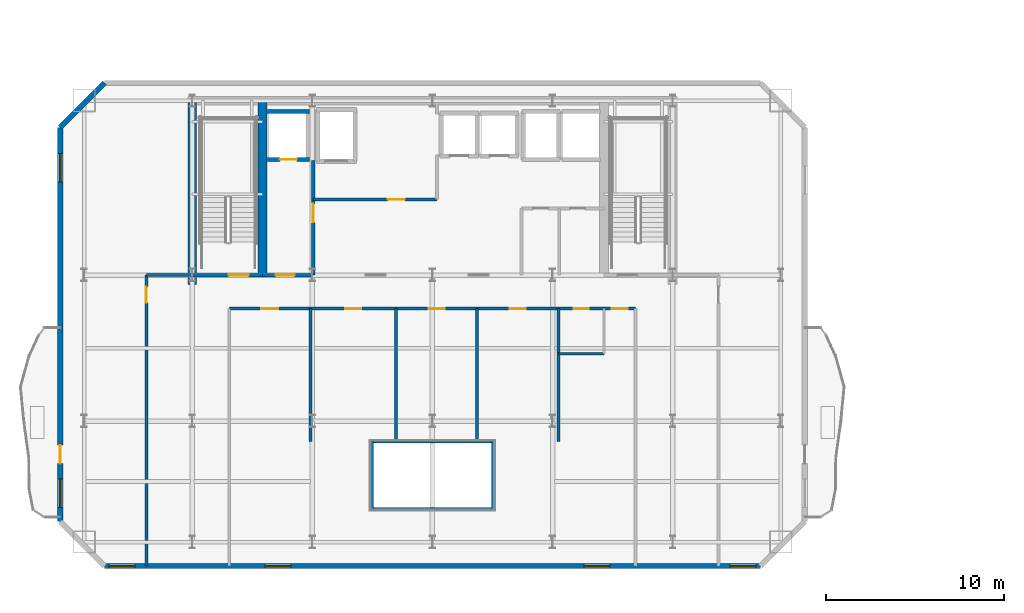
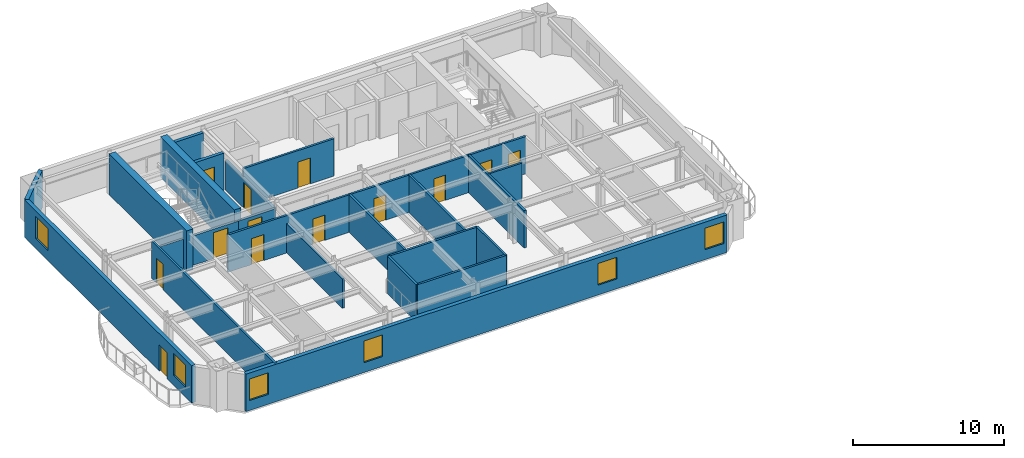
# One storey, part 5 of 13: 23 walls, 13 doors, 6 windows, 19 openings.
"""IFC4 building model written with IfcOpenShell, lengths in metres."""

from ifc_helpers import new_model, si_unit, direction, frame, frame_2d, origin, place, context, subcontext, project, spatial, rectangle, extrude, material, layer, layer_set, type_object, element, fill, save


model = new_model("IFC4")

# Units and contexts
model_context = context("Model", 3, precision=1e-05, world=origin(), true_north=direction((0.0, 1.0)))
body_context = subcontext(model_context, "Body", "Model", "MODEL_VIEW")
ifc_project = project(units=[si_unit("LENGTHUNIT", "METRE"), si_unit("AREAUNIT", "SQUARE_METRE"), si_unit("VOLUMEUNIT", "CUBIC_METRE"), si_unit("PLANEANGLEUNIT", "RADIAN"), si_unit("MASSUNIT", "GRAM", prefix="KILO")], contexts=[model_context])

# Site, building, storey
site_placement = place(None, origin())
site = spatial("IfcSite", under=ifc_project, at=site_placement, CompositionType="ELEMENT")
building_placement = place(site_placement, origin())
building = spatial("IfcBuilding", under=site, at=building_placement, Name="Haevon Station Towers", CompositionType="ELEMENT")
storey_placement = place(building_placement, frame((0.0, 0.0, 162.60009765625)))
storey = spatial("IfcBuildingStorey", under=building, at=storey_placement, Name="L44", CompositionType="ELEMENT", Elevation=162.60009765625)

# Wall, opening, door
ifc_material_1 = material(Name="Gypsum board on steel stud", Category="steel")
ifc_layer_1 = layer(ifc_material_1, 0.199951171875)
ifc_layer_set_1 = layer_set([ifc_layer_1], Name="Gypsum board on steel stud")
wall_type_1 = type_object("IfcWallType", Name="WL-COR200", PredefinedType="PARTITIONING", material=ifc_layer_set_1)
wall_1_placement = place(storey_placement, frame((24.0, 38.199951171875, 0.0), z_axis=(0.0, 0.0, 1.0), x_axis=(1.0, 0.0, 0.0)))
wall_1 = element("IfcWall", 1, at=wall_1_placement, inside=storey, type_object=wall_type_1, Name="WL-ST-ST1-L44", PredefinedType="PARTITIONING", context=body_context, shape_type="SweptSolid", body=[
    extrude(rectangle(XDim=3.949951171875, YDim=0.199951171875, at=frame_2d((1.97509765625, 0.0))), origin(), (0.0, 0.0, 1.0), 2.3798828125),
])
opening_1_placement = place(wall_1_placement, frame((2.050048828125, 0.0, 0.0)))
opening_1 = element("IfcOpeningElement", 2, at=opening_1_placement, cuts=wall_1, Name="Opening DR-ST-ST1-L44", PredefinedType="OPENING", context=body_context, shape_type="SweptSolid", body=[
    extrude(rectangle(XDim=1.1201171875, YDim=2.10009765625, at=frame_2d((0.56005859375, 1.050048828125))), frame((0.0, 0.10986328125, 0.0), z_axis=(0.0, -1.0, 0.0), x_axis=(1.0, 0.0, 0.0)), (0.0, 0.0, 1.0), 0.219970703125),
])
ifc_material_2 = material(Name="Engineered oak timber", Category="wood")
door_type_1 = type_object("IfcDoorType", Name="DR-ST-1120", OperationType="NOTDEFINED", PredefinedType="DOOR", material=ifc_material_2)
door_1_placement = place(opening_1_placement, origin())
door_1 = element("IfcDoor", 3, at=door_1_placement, inside=storey, type_object=door_type_1, Name="L44 Escape Stair ST1 Fire Door", OperationType="SINGLE_SWING_RIGHT", OverallHeight=2.10009765625, OverallWidth=1.1201171875, PredefinedType="DOOR", context=body_context, shape_type="SweptSolid", body=[
    extrude(rectangle(XDim=1.1201171875, YDim=2.10009765625, at=frame_2d((0.56005859375, 1.050048828125))), frame((0.0, 0.02490234375, 0.0), z_axis=(0.0, -1.0, 0.0), x_axis=(1.0, 0.0, 0.0)), (0.0, 0.0, 1.0), 0.050048828125),
])
fill(opening_1, door_1)

wall_2_placement = place(storey_placement, frame((30.800048828125, 38.199951171875, 0.0), z_axis=(0.0, 0.0, 1.0), x_axis=(0.0, 1.0, 0.0)))
wall_2 = element("IfcWall", 4, at=wall_2_placement, inside=storey, type_object=wall_type_1, Name="WL-T1FFL-L44-E", PredefinedType="PARTITIONING", context=body_context, shape_type="SweptSolid", body=[
    extrude(rectangle(XDim=6.449951171875, YDim=0.199951171875, at=frame_2d((3.22509765625, 0.0))), origin(), (0.0, 0.0, 1.0), 2.3798828125),
])
opening_2_placement = place(wall_2_placement, frame((2.9599609375, 0.0, 0.0)))
opening_2 = element("IfcOpeningElement", 5, at=opening_2_placement, cuts=wall_2, Name="Opening DR-T1FFL-L44-E", PredefinedType="OPENING", context=body_context, shape_type="SweptSolid", body=[
    extrude(rectangle(XDim=1.050048828125, YDim=2.10009765625, at=frame_2d((0.52490234375, 1.050048828125))), frame((0.0, 0.10986328125, 0.0), z_axis=(0.0, -1.0, 0.0), x_axis=(1.0, 0.0, 0.0)), (0.0, 0.0, 1.0), 0.219970703125),
])
door_type_2 = type_object("IfcDoorType", Name="DR-FD60-1050", OperationType="NOTDEFINED", PredefinedType="DOOR", material=ifc_material_2)
door_2_placement = place(opening_2_placement, origin())
door_2 = element("IfcDoor", 6, at=door_2_placement, inside=storey, type_object=door_type_2, Name="L44 Tower 1 Firefighting Lift Lobby Door E", OperationType="SINGLE_SWING_RIGHT", OverallHeight=2.10009765625, OverallWidth=1.050048828125, PredefinedType="DOOR", context=body_context, shape_type="SweptSolid", body=[
    extrude(rectangle(XDim=1.050048828125, YDim=2.10009765625, at=frame_2d((0.52490234375, 1.050048828125))), frame((0.0, 0.02490234375, 0.0), z_axis=(0.0, -1.0, 0.0), x_axis=(1.0, 0.0, 0.0)), (0.0, 0.0, 1.0), 0.050048828125),
])
fill(opening_2, door_2)

wall_3_placement = place(storey_placement, frame((27.949951171875, 38.199951171875, 0.0), z_axis=(0.0, 0.0, 1.0), x_axis=(1.0, 0.0, 0.0)))
wall_3 = element("IfcWall", 7, at=wall_3_placement, inside=storey, type_object=wall_type_1, Name="WL-T1FFL-L44-S", PredefinedType="PARTITIONING", context=body_context, shape_type="SweptSolid", body=[
    extrude(rectangle(XDim=2.85009765625, YDim=0.199951171875, at=frame_2d((1.425048828125, 0.0))), origin(), (0.0, 0.0, 1.0), 2.3798828125),
])
opening_3_placement = place(wall_3_placement, frame((0.75, 0.0, 0.0)))
opening_3 = element("IfcOpeningElement", 8, at=opening_3_placement, cuts=wall_3, Name="Opening DR-T1FFL-L44-S", PredefinedType="OPENING", context=body_context, shape_type="SweptSolid", body=[
    extrude(rectangle(XDim=1.050048828125, YDim=2.10009765625, at=frame_2d((0.52490234375, 1.050048828125))), frame((0.0, 0.10986328125, 0.0), z_axis=(0.0, -1.0, 0.0), x_axis=(1.0, 0.0, 0.0)), (0.0, 0.0, 1.0), 0.219970703125),
])
door_3_placement = place(opening_3_placement, origin())
door_3 = element("IfcDoor", 9, at=door_3_placement, inside=storey, type_object=door_type_2, Name="L44 Tower 1 Firefighting Lift Lobby Door S", OperationType="SINGLE_SWING_LEFT", OverallHeight=2.10009765625, OverallWidth=1.050048828125, PredefinedType="DOOR", context=body_context, shape_type="SweptSolid", body=[
    extrude(rectangle(XDim=1.050048828125, YDim=2.10009765625, at=frame_2d((0.52490234375, 1.050048828125))), frame((0.0, 0.02490234375, 0.0), z_axis=(0.0, -1.0, 0.0), x_axis=(1.0, 0.0, 0.0)), (0.0, 0.0, 1.0), 0.050048828125),
])
fill(opening_3, door_3)

# Walls
ifc_material_3 = material(Name="Concrete C60/75", Category="concrete")
ifc_layer_2 = layer(ifc_material_3, 0.5)
ifc_layer_set_2 = layer_set([ifc_layer_2], Name="Concrete C60/75")
wall_type_2 = type_object("IfcWallType", Name="WL-CR500", PredefinedType="SHEAR", material=ifc_layer_set_2)
wall_4_placement = place(storey_placement, frame((24.0, 37.679931640625, 0.0), z_axis=(0.0, 0.0, 1.0), x_axis=(0.0, 1.0, 0.0)))
element("IfcWall", 10, at=wall_4_placement, inside=storey, type_object=wall_type_2, Name="WL-T1CR-L44-W", PredefinedType="SHEAR", context=body_context, shape_type="SweptSolid", body=[
    extrude(rectangle(XDim=10.320068359375, YDim=0.5, at=frame_2d((5.16015625, 0.0))), origin(), (0.0, 0.0, 1.0), 3.2998046875),
])
wall_5_placement = place(storey_placement, frame((27.949951171875, 38.199951171875, 0.0), z_axis=(0.0, 0.0, 1.0), x_axis=(0.0, 1.0, 0.0)))
element("IfcWall", 11, at=wall_5_placement, inside=storey, type_object=wall_type_2, Name="WL-T1CR-L44-M1", PredefinedType="SHEAR", context=body_context, shape_type="SweptSolid", body=[
    extrude(rectangle(XDim=9.800048828125, YDim=0.5, at=frame_2d((4.89990234375, 0.0))), origin(), (0.0, 0.0, 1.0), 3.2998046875),
])

# Wall, openings, windows
ifc_material_4 = material(Name="Precast concrete C45/55", Category="concrete")
ifc_layer_3 = layer(ifc_material_4, 0.300048828125)
ifc_layer_set_3 = layer_set([ifc_layer_3], Name="Precast concrete C45/55")
wall_type_3 = type_object("IfcWallType", Name="WL-EXT-PIER300", PredefinedType="SOLIDWALL", material=ifc_layer_set_3)
wall_6_placement = place(storey_placement, frame((55.925048828125, 21.85009765625, 0.0), z_axis=(0.0, 0.0, 1.0), x_axis=(-1.0, 0.0, 0.0)))
wall_6 = element("IfcWall", 12, at=wall_6_placement, inside=storey, type_object=wall_type_3, Name="WL-T1-L44-S", PredefinedType="SOLIDWALL", context=body_context, shape_type="SweptSolid", body=[
    extrude(rectangle(XDim=36.85009765625, YDim=0.300048828125, at=frame_2d((18.425048828125, 0.0))), origin(), (0.0, 0.0, 1.0), 3.02978515625),
])
opening_4_placement = place(wall_6_placement, frame((35.14990234375, 0.0, 0.800048828125)))
opening_4 = element("IfcOpeningElement", 13, at=opening_4_placement, cuts=wall_6, Name="Opening WN-P145", PredefinedType="OPENING", context=body_context, shape_type="SweptSolid", body=[
    extrude(rectangle(XDim=1.449951171875, YDim=1.75, at=frame_2d((0.72509765625, 0.875))), frame((0.0, 0.159912109375, 0.0), z_axis=(0.0, -1.0, 0.0), x_axis=(1.0, 0.0, 0.0)), (0.0, 0.0, 1.0), 0.320068359375),
])
opening_5_placement = place(wall_6_placement, frame((0.25, 0.0, 0.800048828125)))
opening_5 = element("IfcOpeningElement", 14, at=opening_5_placement, cuts=wall_6, Name="Opening WN-P145", PredefinedType="OPENING", context=body_context, shape_type="SweptSolid", body=[
    extrude(rectangle(XDim=1.449951171875, YDim=1.75, at=frame_2d((0.72509765625, 0.875))), frame((0.0, 0.159912109375, 0.0), z_axis=(0.0, -1.0, 0.0), x_axis=(1.0, 0.0, 0.0)), (0.0, 0.0, 1.0), 0.320068359375),
])
opening_6_placement = place(wall_6_placement, frame((26.385986328125, 0.0, 0.800048828125)))
opening_6 = element("IfcOpeningElement", 15, at=opening_6_placement, cuts=wall_6, Name="Opening WN-P145", PredefinedType="OPENING", context=body_context, shape_type="SweptSolid", body=[
    extrude(rectangle(XDim=1.449951171875, YDim=1.75, at=frame_2d((0.72509765625, 0.875))), frame((0.0, 0.159912109375, 0.0), z_axis=(0.0, -1.0, 0.0), x_axis=(1.0, 0.0, 0.0)), (0.0, 0.0, 1.0), 0.320068359375),
])
opening_7_placement = place(wall_6_placement, frame((8.44970703125, 0.0, 0.800048828125)))
opening_7 = element("IfcOpeningElement", 16, at=opening_7_placement, cuts=wall_6, Name="Opening WN-P145", PredefinedType="OPENING", context=body_context, shape_type="SweptSolid", body=[
    extrude(rectangle(XDim=1.449951171875, YDim=1.75, at=frame_2d((0.72509765625, 0.875))), frame((0.0, 0.159912109375, 0.0), z_axis=(0.0, -1.0, 0.0), x_axis=(1.0, 0.0, 0.0)), (0.0, 0.0, 1.0), 0.320068359375),
])
ifc_material_5 = material(Name="Low-E triple glazing in thermally broken aluminium", Category="aluminium")
window_type_1 = type_object("IfcWindowType", Name="WN-P145", PartitioningType="SINGLE_PANEL", PredefinedType="WINDOW", material=ifc_material_5)
window_1_placement = place(opening_4_placement, origin())
window_1 = element("IfcWindow", 17, at=window_1_placement, inside=storey, type_object=window_type_1, Name="WN-T1-L44-S01", OverallHeight=1.75, OverallWidth=1.449951171875, PartitioningType="SINGLE_PANEL", PredefinedType="WINDOW", context=body_context, shape_type="SweptSolid", body=[
    extrude(rectangle(XDim=1.449951171875, YDim=1.75, at=frame_2d((0.72509765625, 0.875))), frame((0.0, 0.030029296875, 0.0), z_axis=(0.0, -1.0, 0.0), x_axis=(1.0, 0.0, 0.0)), (0.0, 0.0, 1.0), 0.06005859375),
])
fill(opening_4, window_1)
window_2_placement = place(opening_5_placement, origin())
window_2 = element("IfcWindow", 18, at=window_2_placement, inside=storey, type_object=window_type_1, Name="WN-T1-L44-S02", OverallHeight=1.75, OverallWidth=1.449951171875, PartitioningType="SINGLE_PANEL", PredefinedType="WINDOW", context=body_context, shape_type="SweptSolid", body=[
    extrude(rectangle(XDim=1.449951171875, YDim=1.75, at=frame_2d((0.72509765625, 0.875))), frame((0.0, 0.030029296875, 0.0), z_axis=(0.0, -1.0, 0.0), x_axis=(1.0, 0.0, 0.0)), (0.0, 0.0, 1.0), 0.06005859375),
])
fill(opening_5, window_2)
window_3_placement = place(opening_6_placement, origin())
window_3 = element("IfcWindow", 19, at=window_3_placement, inside=storey, type_object=window_type_1, Name="WN-T1-L44-S03", OverallHeight=1.75, OverallWidth=1.449951171875, PartitioningType="SINGLE_PANEL", PredefinedType="WINDOW", context=body_context, shape_type="SweptSolid", body=[
    extrude(rectangle(XDim=1.449951171875, YDim=1.75, at=frame_2d((0.72509765625, 0.875))), frame((0.0, 0.030029296875, 0.0), z_axis=(0.0, -1.0, 0.0), x_axis=(1.0, 0.0, 0.0)), (0.0, 0.0, 1.0), 0.06005859375),
])
fill(opening_6, window_3)
window_4_placement = place(opening_7_placement, origin())
window_4 = element("IfcWindow", 20, at=window_4_placement, inside=storey, type_object=window_type_1, Name="WN-T1-L44-S04", OverallHeight=1.75, OverallWidth=1.449951171875, PartitioningType="SINGLE_PANEL", PredefinedType="WINDOW", context=body_context, shape_type="SweptSolid", body=[
    extrude(rectangle(XDim=1.449951171875, YDim=1.75, at=frame_2d((0.72509765625, 0.875))), frame((0.0, 0.030029296875, 0.0), z_axis=(0.0, -1.0, 0.0), x_axis=(1.0, 0.0, 0.0)), (0.0, 0.0, 1.0), 0.06005859375),
])
fill(opening_7, window_4)

# Wall, openings, door, windows
wall_7_placement = place(storey_placement, frame((16.574951171875, 24.35009765625, 0.0), z_axis=(0.0, 0.0, 1.0), x_axis=(0.0, 1.0, 0.0)))
wall_7 = element("IfcWall", 21, at=wall_7_placement, inside=storey, type_object=wall_type_3, Name="WL-T1-L44-W", PredefinedType="SOLIDWALL", context=body_context, shape_type="SweptSolid", body=[
    extrude(rectangle(XDim=22.14990234375, YDim=0.300048828125, at=frame_2d((11.074951171875, 0.0))), origin(), (0.0, 0.0, 1.0), 3.02978515625),
])
opening_8_placement = place(wall_7_placement, frame((3.25, 0.0, 0.0)))
opening_8 = element("IfcOpeningElement", 22, at=opening_8_placement, cuts=wall_7, Name="Opening DR-T1-SCAL-L44-W", PredefinedType="OPENING", context=body_context, shape_type="SweptSolid", body=[
    extrude(rectangle(XDim=1.050048828125, YDim=2.10009765625, at=frame_2d((0.52490234375, 1.050048828125))), frame((0.0, 0.159912109375, 0.0), z_axis=(0.0, -1.0, 0.0), x_axis=(1.0, 0.0, 0.0)), (0.0, 0.0, 1.0), 0.320068359375),
])
opening_9_placement = place(wall_7_placement, frame((0.800048828125, 0.0, 0.800048828125)))
opening_9 = element("IfcOpeningElement", 23, at=opening_9_placement, cuts=wall_7, Name="Opening WN-END160", PredefinedType="OPENING", context=body_context, shape_type="SweptSolid", body=[
    extrude(rectangle(XDim=1.60009765625, YDim=1.800048828125, at=frame_2d((0.800048828125, 0.89990234375))), frame((0.0, 0.159912109375, 0.0), z_axis=(0.0, -1.0, 0.0), x_axis=(1.0, 0.0, 0.0)), (0.0, 0.0, 1.0), 0.320068359375),
])
opening_10_placement = place(wall_7_placement, frame((19.0732421875, 0.0, 0.800048828125)))
opening_10 = element("IfcOpeningElement", 24, at=opening_10_placement, cuts=wall_7, Name="Opening WN-END160", PredefinedType="OPENING", context=body_context, shape_type="SweptSolid", body=[
    extrude(rectangle(XDim=1.60009765625, YDim=1.800048828125, at=frame_2d((0.800048828125, 0.89990234375))), frame((0.0, 0.159912109375, 0.0), z_axis=(0.0, -1.0, 0.0), x_axis=(1.0, 0.0, 0.0)), (0.0, 0.0, 1.0), 0.320068359375),
])
ifc_material_6 = material(Name="Thermally broken anodised aluminium and laminated safety glass", Category="aluminium")
door_type_3 = type_object("IfcDoorType", Name="DR-BALC-1050", OperationType="NOTDEFINED", PredefinedType="DOOR", material=ifc_material_6)
door_4_placement = place(opening_8_placement, origin())
door_4 = element("IfcDoor", 25, at=door_4_placement, inside=storey, type_object=door_type_3, Name="Tower 1 L44 West Scalloped Balcony Door", OperationType="SINGLE_SWING_LEFT", OverallHeight=2.10009765625, OverallWidth=1.050048828125, PredefinedType="DOOR", context=body_context, shape_type="SweptSolid", body=[
    extrude(rectangle(XDim=1.050048828125, YDim=2.10009765625, at=frame_2d((0.52490234375, 1.050048828125))), frame((0.0, 0.02490234375, 0.0), z_axis=(0.0, -1.0, 0.0), x_axis=(1.0, 0.0, 0.0)), (0.0, 0.0, 1.0), 0.050048828125),
])
fill(opening_8, door_4)
window_type_2 = type_object("IfcWindowType", Name="WN-END160", PartitioningType="SINGLE_PANEL", PredefinedType="WINDOW", material=ifc_material_5)
window_5_placement = place(opening_9_placement, origin())
window_5 = element("IfcWindow", 26, at=window_5_placement, inside=storey, type_object=window_type_2, Name="WN-T1-L44-W01", OverallHeight=1.800048828125, OverallWidth=1.60009765625, PartitioningType="SINGLE_PANEL", PredefinedType="WINDOW", context=body_context, shape_type="SweptSolid", body=[
    extrude(rectangle(XDim=1.60009765625, YDim=1.800048828125, at=frame_2d((0.800048828125, 0.89990234375))), frame((0.0, 0.030029296875, 0.0), z_axis=(0.0, -1.0, 0.0), x_axis=(1.0, 0.0, 0.0)), (0.0, 0.0, 1.0), 0.06005859375),
])
fill(opening_9, window_5)
window_6_placement = place(opening_10_placement, origin())
window_6 = element("IfcWindow", 27, at=window_6_placement, inside=storey, type_object=window_type_2, Name="WN-T1-L44-W02", OverallHeight=1.800048828125, OverallWidth=1.60009765625, PartitioningType="SINGLE_PANEL", PredefinedType="WINDOW", context=body_context, shape_type="SweptSolid", body=[
    extrude(rectangle(XDim=1.60009765625, YDim=1.800048828125, at=frame_2d((0.800048828125, 0.89990234375))), frame((0.0, 0.030029296875, 0.0), z_axis=(0.0, -1.0, 0.0), x_axis=(1.0, 0.0, 0.0)), (0.0, 0.0, 1.0), 0.06005859375),
])
fill(opening_10, window_6)

# Walls
wall_8_placement = place(storey_placement, frame((16.574951171875, 46.5, 0.0), z_axis=(0.0, 0.0, 1.0), x_axis=(0.707106781187, 0.707106781187, 0.0)))
element("IfcWall", 28, at=wall_8_placement, inside=storey, type_object=wall_type_3, Name="WL-T1-L44-NWC", PredefinedType="SOLIDWALL", context=body_context, shape_type="SweptSolid", body=[
    extrude(rectangle(XDim=3.53564453125, YDim=0.300048828125, at=frame_2d((1.767822265625, 0.0))), origin(), (0.0, 0.0, 1.0), 3.02978515625),
])
ifc_layer_4 = layer(ifc_material_1, 0.139892578125)
ifc_layer_set_4 = layer_set([ifc_layer_4], Name="Gypsum board on steel stud")
wall_type_4 = type_object("IfcWallType", Name="WL-PRT140", PredefinedType="PARTITIONING", material=ifc_layer_set_4)
wall_9_placement = place(storey_placement, frame((44.580322265625, 33.77001953125, 0.0), z_axis=(0.0, 0.0, 1.0), x_axis=(1.0, 0.0, 0.0)))
element("IfcWall", 29, at=wall_9_placement, inside=storey, type_object=wall_type_4, Name="WL-T1PT-L44-18", PredefinedType="PARTITIONING", context=body_context, shape_type="SweptSolid", body=[
    extrude(rectangle(XDim=2.5595703125, YDim=0.139892578125, at=frame_2d((1.27978515625, 0.0))), origin(), (0.0, 0.0, 1.0), 3.02978515625),
])

# Wall, opening, door
ifc_layer_5 = layer(ifc_material_1, 0.159912109375)
ifc_layer_set_5 = layer_set([ifc_layer_5], Name="Gypsum board on steel stud")
wall_type_5 = type_object("IfcWallType", Name="WL-PRT160", PredefinedType="PARTITIONING", material=ifc_layer_set_5)
wall_10_placement = place(storey_placement, frame((30.800048828125, 42.449951171875, 0.0), z_axis=(0.0, 0.0, 1.0), x_axis=(1.0, 0.0, 0.0)))
wall_10 = element("IfcWall", 30, at=wall_10_placement, inside=storey, type_object=wall_type_5, Name="WL-T1CW-L44-01", PredefinedType="PARTITIONING", context=body_context, shape_type="SweptSolid", body=[
    extrude(rectangle(XDim=6.949951171875, YDim=0.159912109375, at=frame_2d((3.47509765625, 0.0))), origin(), (0.0, 0.0, 1.0), 3.02978515625),
])
opening_11_placement = place(wall_10_placement, frame((4.199951171875, 0.0, 0.0)))
opening_11 = element("IfcOpeningElement", 31, at=opening_11_placement, cuts=wall_10, Name="Opening DR-WL-T1CW-L44-01-1", PredefinedType="OPENING", context=body_context, shape_type="SweptSolid", body=[
    extrude(rectangle(XDim=0.949951171875, YDim=2.10009765625, at=frame_2d((0.47509765625, 1.050048828125))), frame((0.0, 0.08984375, 0.0), z_axis=(0.0, -1.0, 0.0), x_axis=(1.0, 0.0, 0.0)), (0.0, 0.0, 1.0), 0.179931640625),
])
door_type_4 = type_object("IfcDoorType", Name="DR-FD60-950", OperationType="NOTDEFINED", PredefinedType="DOOR", material=ifc_material_2)
door_5_placement = place(opening_11_placement, origin())
door_5 = element("IfcDoor", 32, at=door_5_placement, inside=storey, type_object=door_type_4, Name="L44 Tower 1 Core Room Door 1-1", OperationType="SINGLE_SWING_LEFT", OverallHeight=2.10009765625, OverallWidth=0.949951171875, PredefinedType="DOOR", context=body_context, shape_type="SweptSolid", body=[
    extrude(rectangle(XDim=0.949951171875, YDim=2.10009765625, at=frame_2d((0.47509765625, 1.050048828125))), frame((0.0, 0.02490234375, 0.0), z_axis=(0.0, -1.0, 0.0), x_axis=(1.0, 0.0, 0.0)), (0.0, 0.0, 1.0), 0.050048828125),
])
fill(opening_11, door_5)

# Wall
wall_11_placement = place(storey_placement, frame((21.425048828125, 38.199951171875, 0.0), z_axis=(0.0, 0.0, 1.0), x_axis=(1.0, 0.0, 0.0)))
element("IfcWall", 33, at=wall_11_placement, inside=storey, type_object=wall_type_5, Name="WL-T1PT-L44-03", PredefinedType="PARTITIONING", context=body_context, shape_type="SweptSolid", body=[
    extrude(rectangle(XDim=2.574951171875, YDim=0.159912109375, at=frame_2d((1.28759765625, 0.0))), origin(), (0.0, 0.0, 1.0), 2.3798828125),
])

# Wall, opening, door
wall_12_placement = place(storey_placement, frame((21.425048828125, 21.85009765625, 0.0), z_axis=(0.0, 0.0, 1.0), x_axis=(0.0, 1.0, 0.0)))
wall_12 = element("IfcWall", 34, at=wall_12_placement, inside=storey, type_object=wall_type_5, Name="WL-T1PT-L44-05", PredefinedType="PARTITIONING", context=body_context, shape_type="SweptSolid", body=[
    extrude(rectangle(XDim=16.349853515625, YDim=0.159912109375, at=frame_2d((8.1748046875, 0.0))), origin(), (0.0, 0.0, 1.0), 3.02978515625),
])
opening_12_placement = place(wall_12_placement, frame((14.7900390625, 0.0, 0.0)))
opening_12 = element("IfcOpeningElement", 35, at=opening_12_placement, cuts=wall_12, Name="Opening DR-WL-T1PT-L44-05-01", PredefinedType="OPENING", context=body_context, shape_type="SweptSolid", body=[
    extrude(rectangle(XDim=0.89990234375, YDim=2.050048828125, at=frame_2d((0.449951171875, 1.02490234375))), frame((0.0, 0.08984375, 0.0), z_axis=(0.0, -1.0, 0.0), x_axis=(1.0, 0.0, 0.0)), (0.0, 0.0, 1.0), 0.179931640625),
])
door_type_5 = type_object("IfcDoorType", Name="DR-INT-900", OperationType="NOTDEFINED", PredefinedType="DOOR", material=ifc_material_2)
door_6_placement = place(opening_12_placement, origin())
door_6 = element("IfcDoor", 36, at=door_6_placement, inside=storey, type_object=door_type_5, Name="L44 Tower 1 Room Door 5-1", OperationType="SINGLE_SWING_RIGHT", OverallHeight=2.050048828125, OverallWidth=0.89990234375, PredefinedType="DOOR", context=body_context, shape_type="SweptSolid", body=[
    extrude(rectangle(XDim=0.89990234375, YDim=2.050048828125, at=frame_2d((0.449951171875, 1.02490234375))), frame((0.0, 0.02490234375, 0.0), z_axis=(0.0, -1.0, 0.0), x_axis=(1.0, 0.0, 0.0)), (0.0, 0.0, 1.0), 0.050048828125),
])
fill(opening_12, door_6)

# Walls
for number, where, z_axis, x_axis, name in (
    (37, (34.10009765625, 25.050048828125, 0.0), (0.0, 0.0, 1.0), (1.0, 0.0, 0.0), "WL-T1PT-L44-07"),
    (38, (34.10009765625, 28.85009765625, 0.0), (0.0, 0.0, 1.0), (1.0, 0.0, 0.0), "WL-T1PT-L44-08"),
):
    element("IfcWall", number, at=place(storey_placement, frame(where, z_axis=z_axis, x_axis=x_axis)), inside=storey, type_object=wall_type_5, Name=name, PredefinedType="PARTITIONING", context=body_context, shape_type="SweptSolid", body=[
        extrude(rectangle(XDim=6.7998046875, YDim=0.159912109375, at=frame_2d((3.39990234375, 0.0))), origin(), (0.0, 0.0, 1.0), 3.02978515625),
    ])
for number, where, z_axis, x_axis, name in (
    (39, (34.10009765625, 25.050048828125, 0.0), (0.0, 0.0, 1.0), (0.0, 1.0, 0.0), "WL-T1PT-L44-09"),
    (40, (40.89990234375, 25.050048828125, 0.0), (0.0, 0.0, 1.0), (0.0, 1.0, 0.0), "WL-T1PT-L44-10"),
):
    element("IfcWall", number, at=place(storey_placement, frame(where, z_axis=z_axis, x_axis=x_axis)), inside=storey, type_object=wall_type_5, Name=name, PredefinedType="PARTITIONING", context=body_context, shape_type="SweptSolid", body=[
        extrude(rectangle(XDim=3.800048828125, YDim=0.159912109375, at=frame_2d((1.89990234375, 0.0))), origin(), (0.0, 0.0, 1.0), 3.02978515625),
    ])
wall_13_placement = place(storey_placement, frame((30.64794921875, 28.85009765625, 0.0), z_axis=(0.0, 0.0, 1.0), x_axis=(0.0, 1.0, 0.0)))
element("IfcWall", 41, at=wall_13_placement, inside=storey, type_object=wall_type_5, Name="WL-T1PT-L44-11", PredefinedType="PARTITIONING", context=body_context, shape_type="SweptSolid", body=[
    extrude(rectangle(XDim=7.469970703125, YDim=0.159912109375, at=frame_2d((3.73486328125, 0.0))), origin(), (0.0, 0.0, 1.0), 2.3798828125),
])
for number, where, z_axis, x_axis, name in (
    (42, (35.4443359375, 28.85009765625, 0.0), (0.0, 0.0, 1.0), (0.0, 1.0, 0.0), "WL-T1PT-L44-12"),
    (43, (40.012451171875, 28.85009765625, 0.0), (0.0, 0.0, 1.0), (0.0, 1.0, 0.0), "WL-T1PT-L44-14"),
    (44, (44.580322265625, 28.85009765625, 0.0), (0.0, 0.0, 1.0), (0.0, 1.0, 0.0), "WL-T1PT-L44-16"),
):
    element("IfcWall", number, at=place(storey_placement, frame(where, z_axis=z_axis, x_axis=x_axis)), inside=storey, type_object=wall_type_5, Name=name, PredefinedType="PARTITIONING", context=body_context, shape_type="SweptSolid", body=[
        extrude(rectangle(XDim=7.469970703125, YDim=0.159912109375, at=frame_2d((3.73486328125, 0.0))), origin(), (0.0, 0.0, 1.0), 3.02978515625),
    ])

# Wall, openings, doors
wall_14_placement = place(storey_placement, frame((26.080078125, 36.320068359375, 0.0), z_axis=(0.0, 0.0, 1.0), x_axis=(1.0, 0.0, 0.0)))
wall_14 = element("IfcWall", 45, at=wall_14_placement, inside=storey, type_object=wall_type_5, Name="WL-T1PT-L44-20", PredefinedType="PARTITIONING", context=body_context, shape_type="SweptSolid", body=[
    extrude(rectangle(XDim=22.83984375, YDim=0.159912109375, at=frame_2d((11.419921875, 0.0))), origin(), (0.0, 0.0, 1.0), 3.02978515625),
])
opening_13_placement = place(wall_14_placement, frame((1.80908203125, 0.0, 0.0)))
opening_13 = element("IfcOpeningElement", 46, at=opening_13_placement, cuts=wall_14, Name="Opening DR-WL-T1PT-L44-20-01", PredefinedType="OPENING", context=body_context, shape_type="SweptSolid", body=[
    extrude(rectangle(XDim=0.949951171875, YDim=2.10009765625, at=frame_2d((0.47509765625, 1.050048828125))), frame((0.0, 0.08984375, 0.0), z_axis=(0.0, -1.0, 0.0), x_axis=(1.0, 0.0, 0.0)), (0.0, 0.0, 1.0), 0.179931640625),
])
opening_14_placement = place(wall_14_placement, frame((6.51611328125, 0.0, 0.0)))
opening_14 = element("IfcOpeningElement", 47, at=opening_14_placement, cuts=wall_14, Name="Opening DR-WL-T1PT-L44-20-02", PredefinedType="OPENING", context=body_context, shape_type="SweptSolid", body=[
    extrude(rectangle(XDim=0.89990234375, YDim=2.050048828125, at=frame_2d((0.449951171875, 1.02490234375))), frame((0.0, 0.08984375, 0.0), z_axis=(0.0, -1.0, 0.0), x_axis=(1.0, 0.0, 0.0)), (0.0, 0.0, 1.0), 0.179931640625),
])
opening_15_placement = place(wall_14_placement, frame((11.197998046875, 0.0, 0.0)))
opening_15 = element("IfcOpeningElement", 48, at=opening_15_placement, cuts=wall_14, Name="Opening DR-WL-T1PT-L44-20-03", PredefinedType="OPENING", context=body_context, shape_type="SweptSolid", body=[
    extrude(rectangle(XDim=0.89990234375, YDim=2.050048828125, at=frame_2d((0.449951171875, 1.02490234375))), frame((0.0, 0.08984375, 0.0), z_axis=(0.0, -1.0, 0.0), x_axis=(1.0, 0.0, 0.0)), (0.0, 0.0, 1.0), 0.179931640625),
])
opening_16_placement = place(wall_14_placement, frame((15.76611328125, 0.0, 0.0)))
opening_16 = element("IfcOpeningElement", 49, at=opening_16_placement, cuts=wall_14, Name="Opening DR-WL-T1PT-L44-20-04", PredefinedType="OPENING", context=body_context, shape_type="SweptSolid", body=[
    extrude(rectangle(XDim=0.89990234375, YDim=2.050048828125, at=frame_2d((0.449951171875, 1.02490234375))), frame((0.0, 0.08984375, 0.0), z_axis=(0.0, -1.0, 0.0), x_axis=(1.0, 0.0, 0.0)), (0.0, 0.0, 1.0), 0.179931640625),
])
opening_17_placement = place(wall_14_placement, frame((19.35498046875, 0.0, 0.0)))
opening_17 = element("IfcOpeningElement", 50, at=opening_17_placement, cuts=wall_14, Name="Opening DR-WL-T1PT-L44-20-05", PredefinedType="OPENING", context=body_context, shape_type="SweptSolid", body=[
    extrude(rectangle(XDim=0.85009765625, YDim=2.050048828125, at=frame_2d((0.425048828125, 1.02490234375))), frame((0.0, 0.08984375, 0.0), z_axis=(0.0, -1.0, 0.0), x_axis=(1.0, 0.0, 0.0)), (0.0, 0.0, 1.0), 0.179931640625),
])
opening_18_placement = place(wall_14_placement, frame((21.5, 0.0, 0.0)))
opening_18 = element("IfcOpeningElement", 51, at=opening_18_placement, cuts=wall_14, Name="Opening DR-WL-T1PT-L44-20-06", PredefinedType="OPENING", context=body_context, shape_type="SweptSolid", body=[
    extrude(rectangle(XDim=0.89990234375, YDim=2.050048828125, at=frame_2d((0.449951171875, 1.02490234375))), frame((0.0, 0.08984375, 0.0), z_axis=(0.0, -1.0, 0.0), x_axis=(1.0, 0.0, 0.0)), (0.0, 0.0, 1.0), 0.179931640625),
])
door_type_6 = type_object("IfcDoorType", Name="DR-FD30-850", OperationType="NOTDEFINED", PredefinedType="DOOR", material=ifc_material_2)
door_7_placement = place(opening_17_placement, origin())
door_7 = element("IfcDoor", 52, at=door_7_placement, inside=storey, type_object=door_type_6, Name="L44 Tower 1 Room Door 20-5", OperationType="SINGLE_SWING_RIGHT", OverallHeight=2.050048828125, OverallWidth=0.85009765625, PredefinedType="DOOR", context=body_context, shape_type="SweptSolid", body=[
    extrude(rectangle(XDim=0.85009765625, YDim=2.050048828125, at=frame_2d((0.425048828125, 1.02490234375))), frame((0.0, 0.02490234375, 0.0), z_axis=(0.0, -1.0, 0.0), x_axis=(1.0, 0.0, 0.0)), (0.0, 0.0, 1.0), 0.050048828125),
])
fill(opening_17, door_7)
door_type_7 = type_object("IfcDoorType", Name="DR-FD30-950", OperationType="NOTDEFINED", PredefinedType="DOOR", material=ifc_material_2)
door_8_placement = place(opening_13_placement, origin())
door_8 = element("IfcDoor", 53, at=door_8_placement, inside=storey, type_object=door_type_7, Name="L44 Tower 1 Room Door 20-1", OperationType="SINGLE_SWING_RIGHT", OverallHeight=2.10009765625, OverallWidth=0.949951171875, PredefinedType="DOOR", context=body_context, shape_type="SweptSolid", body=[
    extrude(rectangle(XDim=0.949951171875, YDim=2.10009765625, at=frame_2d((0.47509765625, 1.050048828125))), frame((0.0, 0.02490234375, 0.0), z_axis=(0.0, -1.0, 0.0), x_axis=(1.0, 0.0, 0.0)), (0.0, 0.0, 1.0), 0.050048828125),
])
fill(opening_13, door_8)
door_9_placement = place(opening_14_placement, origin())
door_9 = element("IfcDoor", 54, at=door_9_placement, inside=storey, type_object=door_type_5, Name="L44 Tower 1 Room Door 20-2", OperationType="SINGLE_SWING_LEFT", OverallHeight=2.050048828125, OverallWidth=0.89990234375, PredefinedType="DOOR", context=body_context, shape_type="SweptSolid", body=[
    extrude(rectangle(XDim=0.89990234375, YDim=2.050048828125, at=frame_2d((0.449951171875, 1.02490234375))), frame((0.0, 0.02490234375, 0.0), z_axis=(0.0, -1.0, 0.0), x_axis=(1.0, 0.0, 0.0)), (0.0, 0.0, 1.0), 0.050048828125),
])
fill(opening_14, door_9)
door_10_placement = place(opening_15_placement, origin())
door_10 = element("IfcDoor", 55, at=door_10_placement, inside=storey, type_object=door_type_5, Name="L44 Tower 1 Room Door 20-3", OperationType="SINGLE_SWING_RIGHT", OverallHeight=2.050048828125, OverallWidth=0.89990234375, PredefinedType="DOOR", context=body_context, shape_type="SweptSolid", body=[
    extrude(rectangle(XDim=0.89990234375, YDim=2.050048828125, at=frame_2d((0.449951171875, 1.02490234375))), frame((0.0, 0.02490234375, 0.0), z_axis=(0.0, -1.0, 0.0), x_axis=(1.0, 0.0, 0.0)), (0.0, 0.0, 1.0), 0.050048828125),
])
fill(opening_15, door_10)
door_11_placement = place(opening_16_placement, origin())
door_11 = element("IfcDoor", 56, at=door_11_placement, inside=storey, type_object=door_type_5, Name="L44 Tower 1 Room Door 20-4", OperationType="SINGLE_SWING_LEFT", OverallHeight=2.050048828125, OverallWidth=0.89990234375, PredefinedType="DOOR", context=body_context, shape_type="SweptSolid", body=[
    extrude(rectangle(XDim=0.89990234375, YDim=2.050048828125, at=frame_2d((0.449951171875, 1.02490234375))), frame((0.0, 0.02490234375, 0.0), z_axis=(0.0, -1.0, 0.0), x_axis=(1.0, 0.0, 0.0)), (0.0, 0.0, 1.0), 0.050048828125),
])
fill(opening_16, door_11)
door_12_placement = place(opening_18_placement, origin())
door_12 = element("IfcDoor", 57, at=door_12_placement, inside=storey, type_object=door_type_5, Name="L44 Tower 1 Room Door 20-6", OperationType="SINGLE_SWING_LEFT", OverallHeight=2.050048828125, OverallWidth=0.89990234375, PredefinedType="DOOR", context=body_context, shape_type="SweptSolid", body=[
    extrude(rectangle(XDim=0.89990234375, YDim=2.050048828125, at=frame_2d((0.449951171875, 1.02490234375))), frame((0.0, 0.02490234375, 0.0), z_axis=(0.0, -1.0, 0.0), x_axis=(1.0, 0.0, 0.0)), (0.0, 0.0, 1.0), 0.050048828125),
])
fill(opening_18, door_12)

# Wall, opening, door
ifc_material_7 = material(Name="Concrete C40/50", Category="concrete")
ifc_layer_6 = layer(ifc_material_7, 0.239990234375)
ifc_layer_set_6 = layer_set([ifc_layer_6], Name="Concrete C40/50")
wall_type_6 = type_object("IfcWallType", Name="WL-SHF240", PredefinedType="PARTITIONING", material=ifc_layer_set_6)
wall_15_placement = place(storey_placement, frame((28.219970703125, 44.699951171875, 0.0), z_axis=(0.0, 0.0, 1.0), x_axis=(1.0, 0.0, 0.0)))
wall_15 = element("IfcWall", 58, at=wall_15_placement, inside=storey, type_object=wall_type_6, Name="WL-SHF-FL1-L44", PredefinedType="PARTITIONING", context=body_context, shape_type="SweptSolid", body=[
    extrude(rectangle(XDim=2.360107421875, YDim=0.239990234375, at=frame_2d((1.18017578125, 0.0))), origin(), (0.0, 0.0, 1.0), 3.02978515625),
])
opening_19_placement = place(wall_15_placement, frame((0.705078125, 0.0, 0.0)))
opening_19 = element("IfcOpeningElement", 59, at=opening_19_placement, cuts=wall_15, Name="Opening LD-FL1-L44", PredefinedType="OPENING", context=body_context, shape_type="SweptSolid", body=[
    extrude(rectangle(XDim=0.949951171875, YDim=2.14990234375, at=frame_2d((0.47509765625, 1.074951171875))), frame((0.0, 0.1298828125, 0.0), z_axis=(0.0, -1.0, 0.0), x_axis=(1.0, 0.0, 0.0)), (0.0, 0.0, 1.0), 0.260009765625),
])
ifc_material_8 = material(Name="Stainless steel and rated core", Category="steel")
door_type_8 = type_object("IfcDoorType", Name="LD-FL950", OperationType="SLIDING_TO_LEFT", PredefinedType="DOOR", material=ifc_material_8)
door_13_placement = place(opening_19_placement, origin())
door_13 = element("IfcDoor", 60, at=door_13_placement, inside=storey, type_object=door_type_8, Name="L44 Lift FL1 Sliding Landing Door", OperationType="SLIDING_TO_LEFT", OverallHeight=2.14990234375, OverallWidth=0.949951171875, PredefinedType="DOOR", context=body_context, shape_type="SweptSolid", body=[
    extrude(rectangle(XDim=0.949951171875, YDim=2.14990234375, at=frame_2d((0.47509765625, 1.074951171875))), frame((0.0, 0.02490234375, 0.0), z_axis=(0.0, -1.0, 0.0), x_axis=(1.0, 0.0, 0.0)), (0.0, 0.0, 1.0), 0.050048828125),
])
fill(opening_19, door_13)

# Wall
wall_16_placement = place(storey_placement, frame((28.219970703125, 47.39990234375, 0.0), z_axis=(0.0, 0.0, 1.0), x_axis=(1.0, 0.0, 0.0)))
element("IfcWall", 61, at=wall_16_placement, inside=storey, type_object=wall_type_6, Name="WL-SHF-FL1-L44-N", PredefinedType="PARTITIONING", context=body_context, shape_type="SweptSolid", body=[
    extrude(rectangle(XDim=2.360107421875, YDim=0.239990234375, at=frame_2d((1.18017578125, 0.0))), origin(), (0.0, 0.0, 1.0), 3.02978515625),
])

save(model, "model.ifc")
